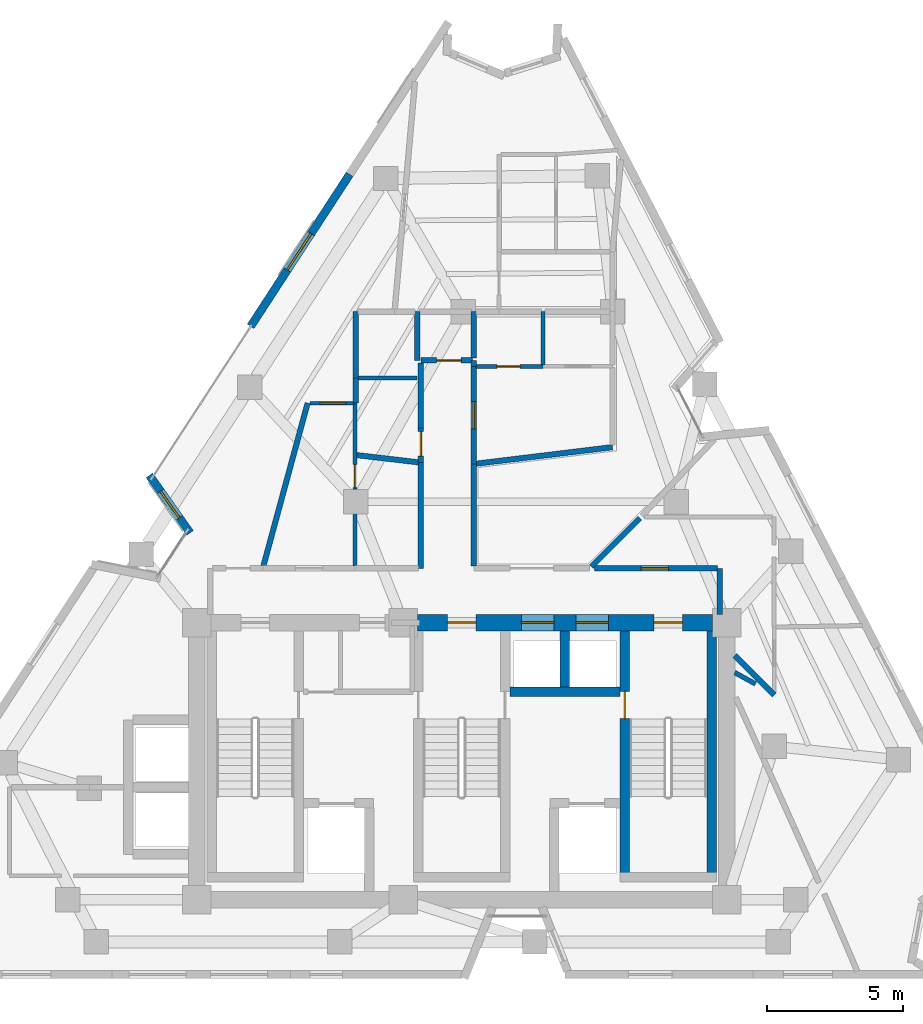
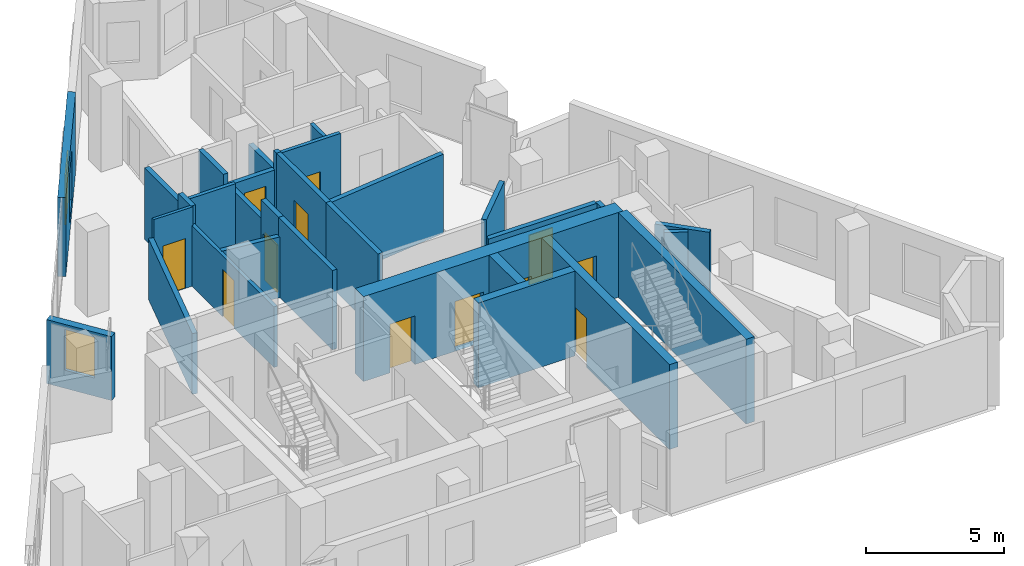
# One storey, part 6 of 9: 31 walls, 12 doors, 2 windows, 14 openings.
"""IFC4 building model written with IfcOpenShell, lengths in metres."""

from ifc_helpers import new_model, si_unit, direction, frame, frame_2d, origin, place, context, subcontext, project, spatial, rectangle, extrude, material, layer, layer_set, type_object, element, fill, save


model = new_model("IFC4")

# Units and contexts
model_context = context("Model", 3, precision=1e-05, world=origin(), true_north=direction((0.0, 1.0)))
body_context = subcontext(model_context, "Body", "Model", "MODEL_VIEW")
ifc_project = project(units=[si_unit("LENGTHUNIT", "METRE"), si_unit("AREAUNIT", "SQUARE_METRE"), si_unit("VOLUMEUNIT", "CUBIC_METRE"), si_unit("PLANEANGLEUNIT", "RADIAN"), si_unit("MASSUNIT", "GRAM", prefix="KILO")], contexts=[model_context])

# Site, building, storey
site_placement = place(None, origin())
site = spatial("IfcSite", under=ifc_project, at=site_placement, CompositionType="ELEMENT")
building_placement = place(site_placement, origin())
building = spatial("IfcBuilding", under=site, at=building_placement, Name="Almagre Mirador Tower", CompositionType="ELEMENT")
storey_placement = place(building_placement, frame((0.0, 0.0, 210.75)))
storey = spatial("IfcBuildingStorey", under=building, at=storey_placement, Name="L54", CompositionType="ELEMENT", Elevation=210.75)

# Wall, opening, window
ifc_material_1 = material(Name="Precast concrete C50/60", Category="concrete")
ifc_layer_1 = layer(ifc_material_1, 0.300048828125)
ifc_layer_set_1 = layer_set([ifc_layer_1], Name="Precast concrete C50/60")
wall_type_1 = type_object("IfcWallType", Name="WAL-EXT-300", PredefinedType="SOLIDWALL", material=ifc_layer_set_1)
wall_1_placement = place(storey_placement, frame((27.3017578125, 18.052490234375, 0.0), z_axis=(0.0, 0.0, 1.0), x_axis=(-0.576912262752, 0.816806122092, 0.0)))
wall_1 = element("IfcWall", 1, at=wall_1_placement, inside=storey, type_object=wall_type_1, Name="L54 expressed almagre precast frame wall 02", PredefinedType="SOLIDWALL", context=body_context, shape_type="SweptSolid", body=[
    extrude(rectangle(XDim=2.59423828125, YDim=0.300048828125, at=frame_2d((1.297119140625, 0.0))), origin(), (0.0, 0.0, 1.0), 2.824951171875),
])
opening_1_placement = place(wall_1_placement, frame((0.675048828125, 0.0, 0.800048828125)))
opening_1 = element("IfcOpeningElement", 2, at=opening_1_placement, cuts=wall_1, Name="Opening WN-04", PredefinedType="OPENING", context=body_context, shape_type="SweptSolid", body=[
    extrude(rectangle(XDim=1.199951171875, YDim=1.800048828125, at=frame_2d((0.60009765625, 0.89990234375))), frame((0.0, 0.159902, 0.0), z_axis=(0.0, -1.0, 0.0), x_axis=(1.0, 0.0, 0.0)), (0.0, 0.0, 1.0), 0.320049),
])
ifc_material_2 = material(Name="Dark solar-control laminated hurricane glass", Category="glass")
window_type_1 = type_object("IfcWindowType", Name="WIN-1200X1800", PartitioningType="SINGLE_PANEL", PredefinedType="WINDOW", material=ifc_material_2)
window_1_placement = place(opening_1_placement, origin())
window_1 = element("IfcWindow", 3, at=window_1_placement, inside=storey, type_object=window_type_1, Name="L54 recessed hurricane window L54-RST-F", OverallHeight=1.800048828125, OverallWidth=1.199951171875, PartitioningType="SINGLE_PANEL", PredefinedType="WINDOW", context=body_context, shape_type="SweptSolid", body=[
    extrude(rectangle(XDim=1.199951171875, YDim=1.800048828125, at=frame_2d((0.60009765625, 0.89990234375))), frame((0.0, 0.030029296875, 0.0), z_axis=(0.0, -1.0, 0.0), x_axis=(1.0, 0.0, 0.0)), (0.0, 0.0, 1.0), 0.06005859375),
])
fill(opening_1, window_1)

wall_2_placement = place(storey_placement, frame((29.530029296875, 25.654052734375, 0.0), z_axis=(0.0, 0.0, 1.0), x_axis=(0.545624217243, 0.838029959821, 0.0)))
wall_2 = element("IfcWall", 4, at=wall_2_placement, inside=storey, type_object=wall_type_1, Name="L54 expressed almagre precast frame wall 03", PredefinedType="SOLIDWALL", context=body_context, shape_type="SweptSolid", body=[
    extrude(rectangle(XDim=6.6787109375, YDim=0.300048828125, at=frame_2d((3.33935546875, 0.0))), origin(), (0.0, 0.0, 1.0), 3.5),
])
opening_2_placement = place(wall_2_placement, frame((2.47509765625, 0.0, 0.550048828125)))
opening_2 = element("IfcOpeningElement", 5, at=opening_2_placement, cuts=wall_2, Name="Opening WN-06", PredefinedType="OPENING", context=body_context, shape_type="SweptSolid", body=[
    extrude(rectangle(XDim=1.60009765625, YDim=2.199951171875, at=frame_2d((0.800048828125, 1.10009765625))), frame((0.0, 0.159902, 0.0), z_axis=(0.0, -1.0, 0.0), x_axis=(1.0, 0.0, 0.0)), (0.0, 0.0, 1.0), 0.320049),
])
ifc_material_3 = material(Name="Dark solar-control laminated hurricane glass", Category="glass")
window_type_2 = type_object("IfcWindowType", Name="WIN-1600X2200", PartitioningType="DOUBLE_PANEL_VERTICAL", PredefinedType="WINDOW", material=ifc_material_3)
window_2_placement = place(opening_2_placement, origin())
window_2 = element("IfcWindow", 6, at=window_2_placement, inside=storey, type_object=window_type_2, Name="L54 recessed hurricane window L54-RST-F", OverallHeight=2.199951171875, OverallWidth=1.60009765625, PartitioningType="SINGLE_PANEL", PredefinedType="WINDOW", context=body_context, shape_type="SweptSolid", body=[
    extrude(rectangle(XDim=1.60009765625, YDim=2.199951171875, at=frame_2d((0.800048828125, 1.10009765625))), frame((0.0, 0.030029296875, 0.0), z_axis=(0.0, -1.0, 0.0), x_axis=(1.0, 0.0, 0.0)), (0.0, 0.0, 1.0), 0.06005859375),
])
fill(opening_2, window_2)

# Wall, opening, door
ifc_material_4 = material(Name="Gypsum acoustic stud partition", Category="other")
ifc_layer_2 = layer(ifc_material_4, 0.125)
ifc_layer_set_2 = layer_set([ifc_layer_2], Name="Gypsum acoustic stud partition")
wall_type_2 = type_object("IfcWallType", Name="WAL-PRT-125-UTL", PredefinedType="PARTITIONING", material=ifc_layer_set_2)
wall_3_placement = place(storey_placement, frame((33.360107421875, 22.830078125, 0.0), z_axis=(0.0, 0.0, 1.0), x_axis=(-1.0, 0.0, 0.0)))
wall_3 = element("IfcWall", 7, at=wall_3_placement, inside=storey, type_object=wall_type_2, Name="L54 interior partition 047", PredefinedType="PARTITIONING", context=body_context, shape_type="SweptSolid", body=[
    extrude(rectangle(XDim=1.64501953125, YDim=0.125, at=frame_2d((0.822509765625, 0.0))), origin(), (0.0, 0.0, 1.0), 3.5),
])
opening_3_placement = place(wall_3_placement, frame((0.31591796875, 0.0, 0.0)))
opening_3 = element("IfcOpeningElement", 8, at=opening_3_placement, cuts=wall_3, Name="Opening UD-01", PredefinedType="OPENING", context=body_context, shape_type="SweptSolid", body=[
    extrude(rectangle(XDim=0.949951171875, YDim=2.199951171875, at=frame_2d((0.47509765625, 1.10009765625))), frame((0.0, 0.0725, 0.0), z_axis=(0.0, -1.0, 0.0), x_axis=(1.0, 0.0, 0.0)), (0.0, 0.0, 1.0), 0.145),
])
ifc_material_5 = material(Name="Solid American walnut timber", Category="wood")
door_type_1 = type_object("IfcDoorType", Name="DOR-UNR-950X2200", OperationType="NOTDEFINED", PredefinedType="DOOR", material=ifc_material_5)
door_1_placement = place(opening_3_placement, origin())
door_1 = element("IfcDoor", 9, at=door_1_placement, inside=storey, type_object=door_type_1, Name="DR-1681 L54 interior door L54-UG-ST to L54-UG-KT", OperationType="SINGLE_SWING_LEFT", OverallHeight=2.199951171875, OverallWidth=0.949951171875, PredefinedType="DOOR", context=body_context, shape_type="SweptSolid", body=[
    extrude(rectangle(XDim=0.949951171875, YDim=2.199951171875, at=frame_2d((0.47509765625, 1.10009765625))), frame((0.0, 0.02490234375, 0.0), z_axis=(0.0, -1.0, 0.0), x_axis=(1.0, 0.0, 0.0)), (0.0, 0.0, 1.0), 0.050048828125),
])
fill(opening_3, door_1)

ifc_material_6 = material(Name="Gypsum acoustic stud partition", Category="other")
ifc_layer_3 = layer(ifc_material_6, 0.14990234375)
ifc_layer_set_3 = layer_set([ifc_layer_3], Name="Gypsum acoustic stud partition")
wall_type_3 = type_object("IfcWallType", Name="WAL-PRT-150-STD", PredefinedType="PARTITIONING", material=ifc_layer_set_3)
wall_4_placement = place(storey_placement, frame((33.3798828125, 22.830078125, 0.0), z_axis=(0.0, 0.0, 1.0), x_axis=(0.0, -1.0, 0.0)))
wall_4 = element("IfcWall", 10, at=wall_4_placement, inside=storey, type_object=wall_type_3, Name="L54 interior partition 046", PredefinedType="PARTITIONING", context=body_context, shape_type="SweptSolid", body=[
    extrude(rectangle(XDim=5.9951171875, YDim=0.14990234375, at=frame_2d((2.99755859375, 0.0))), origin(), (0.0, 0.0, 1.0), 2.68505859375),
])
opening_4_placement = place(wall_4_placement, frame((2.261474609375, 0.0, 0.0)))
opening_4 = element("IfcOpeningElement", 11, at=opening_4_placement, cuts=wall_4, Name="Opening UD-04", PredefinedType="OPENING", context=body_context, shape_type="SweptSolid", body=[
    extrude(rectangle(XDim=0.85009765625, YDim=2.10009765625, at=frame_2d((0.425048828125, 1.050048828125))), frame((0.0, 0.084951, 0.0), z_axis=(0.0, -1.0, 0.0), x_axis=(1.0, 0.0, 0.0)), (0.0, 0.0, 1.0), 0.169902),
])
ifc_material_7 = material(Name="Moisture-resistant oak timber", Category="wood")
door_type_2 = type_object("IfcDoorType", Name="DOR-UNR-850X2100", OperationType="NOTDEFINED", PredefinedType="DOOR", material=ifc_material_7)
door_2_placement = place(opening_4_placement, origin())
door_2 = element("IfcDoor", 12, at=door_2_placement, inside=storey, type_object=door_type_2, Name="DR-1682 L54 interior door L54-UG-ST to L54-UG-BT", OperationType="SINGLE_SWING_RIGHT", OverallHeight=2.10009765625, OverallWidth=0.85009765625, PredefinedType="DOOR", context=body_context, shape_type="SweptSolid", body=[
    extrude(rectangle(XDim=0.85009765625, YDim=2.10009765625, at=frame_2d((0.425048828125, 1.050048828125))), frame((0.0, 0.02490234375, 0.0), z_axis=(0.0, -1.0, 0.0), x_axis=(1.0, 0.0, 0.0)), (0.0, 0.0, 1.0), 0.050048828125),
])
fill(opening_4, door_2)

# Wall
wall_5_placement = place(storey_placement, frame((35.659912109375, 23.75, 0.0), z_axis=(0.0, 0.0, 1.0), x_axis=(-1.0, 0.0, 0.0)))
element("IfcWall", 13, at=wall_5_placement, inside=storey, type_object=wall_type_3, Name="L54 interior partition 057", PredefinedType="PARTITIONING", context=body_context, shape_type="SweptSolid", body=[
    extrude(rectangle(XDim=2.1748046875, YDim=0.14990234375, at=frame_2d((1.08740234375, 0.0))), origin(), (0.0, 0.0, 1.0), 3.159912109375),
])

# Wall, opening, door
wall_6_placement = place(storey_placement, frame((40.300048828125, 24.179931640625, 0.0), z_axis=(0.0, 0.0, 1.0), x_axis=(-1.0, 0.0, 0.0)))
wall_6 = element("IfcWall", 14, at=wall_6_placement, inside=storey, type_object=wall_type_3, Name="L54 interior partition 060", PredefinedType="PARTITIONING", context=body_context, shape_type="SweptSolid", body=[
    extrude(rectangle(XDim=2.465087890625, YDim=0.14990234375, at=frame_2d((1.232421875, 0.0))), origin(), (0.0, 0.0, 1.0), 3.5),
])
opening_5_placement = place(wall_6_placement, frame((0.85009765625, 0.0, 0.0)))
opening_5 = element("IfcOpeningElement", 15, at=opening_5_placement, cuts=wall_6, Name="Opening UD-04", PredefinedType="OPENING", context=body_context, shape_type="SweptSolid", body=[
    extrude(rectangle(XDim=0.85009765625, YDim=2.10009765625, at=frame_2d((0.425048828125, 1.050048828125))), frame((0.0, 0.084951, 0.0), z_axis=(0.0, -1.0, 0.0), x_axis=(1.0, 0.0, 0.0)), (0.0, 0.0, 1.0), 0.169902),
])
door_3_placement = place(opening_5_placement, origin())
door_3 = element("IfcDoor", 16, at=door_3_placement, inside=storey, type_object=door_type_2, Name="DR-1686 L54 interior door L54-UJ-ST to L54-UJ-BT", OperationType="SINGLE_SWING_RIGHT", OverallHeight=2.10009765625, OverallWidth=0.85009765625, PredefinedType="DOOR", context=body_context, shape_type="SweptSolid", body=[
    extrude(rectangle(XDim=0.85009765625, YDim=2.10009765625, at=frame_2d((0.425048828125, 1.050048828125))), frame((0.0, 0.02490234375, 0.0), z_axis=(0.0, -1.0, 0.0), x_axis=(1.0, 0.0, 0.0)), (0.0, 0.0, 1.0), 0.050048828125),
])
fill(opening_5, door_3)

# Walls
wall_7_placement = place(storey_placement, frame((40.300048828125, 26.199951171875, 0.0), z_axis=(0.0, 0.0, 1.0), x_axis=(0.0, -1.0, 0.0)))
element("IfcWall", 17, at=wall_7_placement, inside=storey, type_object=wall_type_3, Name="L54 interior partition 063", PredefinedType="PARTITIONING", context=body_context, shape_type="SweptSolid", body=[
    extrude(rectangle(XDim=1.972412109375, YDim=0.14990234375, at=frame_2d((0.986328125, 0.0))), origin(), (0.0, 0.0, 1.0), 2.68505859375),
])
ifc_material_8 = material(Name="Gypsum acoustic stud partition", Category="other")
ifc_layer_4 = layer(ifc_material_8, 0.175048828125)
ifc_layer_set_4 = layer_set([ifc_layer_4], Name="Gypsum acoustic stud partition")
wall_type_4 = type_object("IfcWallType", Name="WAL-PRT-175-AC", PredefinedType="PARTITIONING", material=ifc_layer_set_4)
wall_8_placement = place(storey_placement, frame((47.35009765625, 12.9140625, 0.0), z_axis=(0.0, 0.0, 1.0), x_axis=(0.876281108122, -0.481800186331, 0.0)))
element("IfcWall", 18, at=wall_8_placement, inside=storey, type_object=wall_type_4, Name="L54 interior partition 078", PredefinedType="PARTITIONING", context=body_context, shape_type="SweptSolid", body=[
    extrude(rectangle(XDim=0.86962890625, YDim=0.175048828125, at=frame_2d((0.434814453125, 0.0))), origin(), (0.0, 0.0, 1.0), 3.5),
])
ifc_material_9 = material(Name="Gypsum acoustic stud partition", Category="other")
ifc_layer_5 = layer(ifc_material_9, 0.199951171875)
ifc_layer_set_5 = layer_set([ifc_layer_5], Name="Gypsum acoustic stud partition")
wall_type_5 = type_object("IfcWallType", Name="WAL-PRT-200-EI60", PredefinedType="PARTITIONING", material=ifc_layer_set_5)
wall_9_placement = place(storey_placement, frame((46.800048828125, 15.050048828125, 0.0), z_axis=(0.0, 0.0, 1.0), x_axis=(0.0, 1.0, 0.0)))
element("IfcWall", 19, at=wall_9_placement, inside=storey, type_object=wall_type_5, Name="L54 interior partition 002", PredefinedType="PARTITIONING", context=body_context, shape_type="SweptSolid", body=[
    extrude(rectangle(XDim=1.699951171875, YDim=0.199951171875, at=frame_2d((0.85009765625, 0.0))), origin(), (0.0, 0.0, 1.0), 2.68505859375),
])

# Wall, opening, door
wall_10_placement = place(storey_placement, frame((46.715087890625, 16.75, 0.0), z_axis=(0.0, 0.0, 1.0), x_axis=(-1.0, 0.0, 0.0)))
wall_10 = element("IfcWall", 20, at=wall_10_placement, inside=storey, type_object=wall_type_5, Name="L54 interior partition 003", PredefinedType="PARTITIONING", context=body_context, shape_type="SweptSolid", body=[
    extrude(rectangle(XDim=4.53515625, YDim=0.199951171875, at=frame_2d((2.267578125, 0.0))), origin(), (0.0, 0.0, 1.0), 2.68505859375),
])
opening_6_placement = place(wall_10_placement, frame((1.81005859375, 0.0, 0.0)))
opening_6 = element("IfcOpeningElement", 21, at=opening_6_placement, cuts=wall_10, Name="Opening ID-01", PredefinedType="OPENING", context=body_context, shape_type="SweptSolid", body=[
    extrude(rectangle(XDim=1.0, YDim=2.199951171875, at=frame_2d((0.5, 1.10009765625))), frame((0.0, 0.110098, 0.0), z_axis=(0.0, -1.0, 0.0), x_axis=(1.0, 0.0, 0.0)), (0.0, 0.0, 1.0), 0.219951),
])
ifc_material_10 = material(Name="Fire-rated walnut timber", Category="wood")
door_type_3 = type_object("IfcDoorType", Name="DOR-FD60-1000X2200", OperationType="NOTDEFINED", PredefinedType="DOOR", material=ifc_material_10)
door_4_placement = place(opening_6_placement, origin())
door_4 = element("IfcDoor", 22, at=door_4_placement, inside=storey, type_object=door_type_3, Name="DR-1678 L54 interior door L54-RCOR to L54-UE-ST", OperationType="SINGLE_SWING_LEFT", OverallHeight=2.199951171875, OverallWidth=1.0, PredefinedType="DOOR", context=body_context, shape_type="SweptSolid", body=[
    extrude(rectangle(XDim=1.0, YDim=2.199951171875, at=frame_2d((0.5, 1.10009765625))), frame((0.0, 0.02490234375, 0.0), z_axis=(0.0, -1.0, 0.0), x_axis=(1.0, 0.0, 0.0)), (0.0, 0.0, 1.0), 0.050048828125),
])
fill(opening_6, door_4)

# Wall
wall_11_placement = place(storey_placement, frame((35.800048828125, 20.639892578125, 0.0), z_axis=(0.0, 0.0, 1.0), x_axis=(0.0, -1.0, 0.0)))
element("IfcWall", 23, at=wall_11_placement, inside=storey, type_object=wall_type_5, Name="L54 interior partition 006", PredefinedType="PARTITIONING", context=body_context, shape_type="SweptSolid", body=[
    extrude(rectangle(XDim=3.889892578125, YDim=0.199951171875, at=frame_2d((1.94482421875, 0.0))), origin(), (0.0, 0.0, 1.0), 3.5),
])

# Wall, opening, door
wall_12_placement = place(storey_placement, frame((37.705078125, 24.39990234375, 0.0), z_axis=(0.0, 0.0, 1.0), x_axis=(-1.0, 0.0, 0.0)))
wall_12 = element("IfcWall", 24, at=wall_12_placement, inside=storey, type_object=wall_type_5, Name="L54 interior partition 008", PredefinedType="PARTITIONING", context=body_context, shape_type="SweptSolid", body=[
    extrude(rectangle(XDim=1.905029296875, YDim=0.199951171875, at=frame_2d((0.95263671875, 0.0))), origin(), (0.0, 0.0, 1.0), 2.68505859375),
])
opening_7_placement = place(wall_12_placement, frame((0.425048828125, 0.0, 0.0)))
opening_7 = element("IfcOpeningElement", 25, at=opening_7_placement, cuts=wall_12, Name="Opening ID-03", PredefinedType="OPENING", context=body_context, shape_type="SweptSolid", body=[
    extrude(rectangle(XDim=0.89990234375, YDim=2.10009765625, at=frame_2d((0.449951171875, 1.050048828125))), frame((0.0, 0.110098, 0.0), z_axis=(0.0, -1.0, 0.0), x_axis=(1.0, 0.0, 0.0)), (0.0, 0.0, 1.0), 0.219951),
])
ifc_material_11 = material(Name="Fire-rated hollow steel", Category="steel")
door_type_4 = type_object("IfcDoorType", Name="DOR-FD60-900X2100", OperationType="NOTDEFINED", PredefinedType="DOOR", material=ifc_material_11)
door_5_placement = place(opening_7_placement, origin())
door_5 = element("IfcDoor", 26, at=door_5_placement, inside=storey, type_object=door_type_4, Name="DR-1677 L54 interior door L54-RCOR to L54-UH-ST", OperationType="SINGLE_SWING_RIGHT", OverallHeight=2.10009765625, OverallWidth=0.89990234375, PredefinedType="DOOR", context=body_context, shape_type="SweptSolid", body=[
    extrude(rectangle(XDim=0.89990234375, YDim=2.10009765625, at=frame_2d((0.449951171875, 1.050048828125))), frame((0.0, 0.02490234375, 0.0), z_axis=(0.0, -1.0, 0.0), x_axis=(1.0, 0.0, 0.0)), (0.0, 0.0, 1.0), 0.050048828125),
])
fill(opening_7, door_5)

# Wall
wall_13_placement = place(storey_placement, frame((35.800048828125, 24.31494140625, 0.0), z_axis=(0.0, 0.0, 1.0), x_axis=(0.0, -1.0, 0.0)))
element("IfcWall", 27, at=wall_13_placement, inside=storey, type_object=wall_type_5, Name="L54 interior partition 009", PredefinedType="PARTITIONING", context=body_context, shape_type="SweptSolid", body=[
    extrude(rectangle(XDim=2.39501953125, YDim=0.199951171875, at=frame_2d((1.197509765625, 0.0))), origin(), (0.0, 0.0, 1.0), 2.68505859375),
])

# Wall, opening, door
wall_14_placement = place(storey_placement, frame((35.800048828125, 21.919921875, 0.0), z_axis=(0.0, 0.0, 1.0), x_axis=(0.0, -1.0, 0.0)))
wall_14 = element("IfcWall", 28, at=wall_14_placement, inside=storey, type_object=wall_type_5, Name="L54 interior partition 010", PredefinedType="PARTITIONING", context=body_context, shape_type="SweptSolid", body=[
    extrude(rectangle(XDim=1.280029296875, YDim=0.199951171875, at=frame_2d((0.64013671875, 0.0))), origin(), (0.0, 0.0, 1.0), 3.5),
])
opening_8_placement = place(wall_14_placement, frame((0.139892578125, 0.0, 0.0)))
opening_8 = element("IfcOpeningElement", 29, at=opening_8_placement, cuts=wall_14, Name="Opening ID-03", PredefinedType="OPENING", context=body_context, shape_type="SweptSolid", body=[
    extrude(rectangle(XDim=0.89990234375, YDim=2.10009765625, at=frame_2d((0.449951171875, 1.050048828125))), frame((0.0, 0.110098, 0.0), z_axis=(0.0, -1.0, 0.0), x_axis=(1.0, 0.0, 0.0)), (0.0, 0.0, 1.0), 0.219951),
])
door_6_placement = place(opening_8_placement, origin())
door_6 = element("IfcDoor", 30, at=door_6_placement, inside=storey, type_object=door_type_4, Name="DR-1683 L54 interior door L54-RCOR to L54-UH-KT", OperationType="SINGLE_SWING_RIGHT", OverallHeight=2.10009765625, OverallWidth=0.89990234375, PredefinedType="DOOR", context=body_context, shape_type="SweptSolid", body=[
    extrude(rectangle(XDim=0.89990234375, YDim=2.10009765625, at=frame_2d((0.449951171875, 1.050048828125))), frame((0.0, 0.02490234375, 0.0), z_axis=(0.0, -1.0, 0.0), x_axis=(1.0, 0.0, 0.0)), (0.0, 0.0, 1.0), 0.050048828125),
])
fill(opening_8, door_6)

wall_15_placement = place(storey_placement, frame((37.75, 20.590087890625, 0.0), z_axis=(0.0, 0.0, 1.0), x_axis=(0.0, 1.0, 0.0)))
wall_15 = element("IfcWall", 31, at=wall_15_placement, inside=storey, type_object=wall_type_5, Name="L54 interior partition 011", PredefinedType="PARTITIONING", context=body_context, shape_type="SweptSolid", body=[
    extrude(rectangle(XDim=3.58984375, YDim=0.199951171875, at=frame_2d((1.794921875, 0.0))), origin(), (0.0, 0.0, 1.0), 3.5),
])
opening_9_placement = place(wall_15_placement, frame((1.294921875, 0.0, 0.0)))
opening_9 = element("IfcOpeningElement", 32, at=opening_9_placement, cuts=wall_15, Name="Opening ID-01", PredefinedType="OPENING", context=body_context, shape_type="SweptSolid", body=[
    extrude(rectangle(XDim=1.0, YDim=2.199951171875, at=frame_2d((0.5, 1.10009765625))), frame((0.0, 0.110098, 0.0), z_axis=(0.0, -1.0, 0.0), x_axis=(1.0, 0.0, 0.0)), (0.0, 0.0, 1.0), 0.219951),
])
door_7_placement = place(opening_9_placement, origin())
door_7 = element("IfcDoor", 33, at=door_7_placement, inside=storey, type_object=door_type_3, Name="DR-1684 L54 interior door L54-RCOR to L54-UJ-ST", OperationType="SINGLE_SWING_RIGHT", OverallHeight=2.199951171875, OverallWidth=1.0, PredefinedType="DOOR", context=body_context, shape_type="SweptSolid", body=[
    extrude(rectangle(XDim=1.0, YDim=2.199951171875, at=frame_2d((0.5, 1.10009765625))), frame((0.0, 0.02490234375, 0.0), z_axis=(0.0, -1.0, 0.0), x_axis=(1.0, 0.0, 0.0)), (0.0, 0.0, 1.0), 0.050048828125),
])
fill(opening_9, door_7)

# Walls
wall_16_placement = place(storey_placement, frame((37.75, 24.179931640625, 0.0), z_axis=(0.0, 0.0, 1.0), x_axis=(0.0, 1.0, 0.0)))
element("IfcWall", 34, at=wall_16_placement, inside=storey, type_object=wall_type_5, Name="L54 interior partition 012", PredefinedType="PARTITIONING", context=body_context, shape_type="SweptSolid", body=[
    extrude(rectangle(XDim=0.219970703125, YDim=0.199951171875, at=frame_2d((0.10986328125, 0.0))), origin(), (0.0, 0.0, 1.0), 3.5),
])
wall_17_placement = place(storey_placement, frame((37.75, 16.8349609375, 0.0), z_axis=(0.0, 0.0, 1.0), x_axis=(0.0, 1.0, 0.0)))
element("IfcWall", 35, at=wall_17_placement, inside=storey, type_object=wall_type_5, Name="L54 interior partition 014", PredefinedType="PARTITIONING", context=body_context, shape_type="SweptSolid", body=[
    extrude(rectangle(XDim=3.755126953125, YDim=0.199951171875, at=frame_2d((1.87744140625, 0.0))), origin(), (0.0, 0.0, 1.0), 3.5),
])
wall_18_placement = place(storey_placement, frame((48.800048828125, 12.090087890625, 0.0), z_axis=(0.0, 0.0, 1.0), x_axis=(-0.707106781187, 0.707106781187, 0.0)))
element("IfcWall", 36, at=wall_18_placement, inside=storey, type_object=wall_type_5, Name="L54 interior partition 029", PredefinedType="PARTITIONING", context=body_context, shape_type="SweptSolid", body=[
    extrude(rectangle(XDim=2.050537109375, YDim=0.199951171875, at=frame_2d((1.025390625, 0.0))), origin(), (0.0, 0.0, 1.0), 3.5),
])
wall_19_placement = place(storey_placement, frame((43.857666015625, 18.59765625, 0.0), z_axis=(0.0, 0.0, 1.0), x_axis=(-0.707106781187, -0.707106781187, 0.0)))
element("IfcWall", 37, at=wall_19_placement, inside=storey, type_object=wall_type_5, Name="L54 interior partition 040", PredefinedType="PARTITIONING", context=body_context, shape_type="SweptSolid", body=[
    extrude(rectangle(XDim=2.528076171875, YDim=0.199951171875, at=frame_2d((1.26416015625, 0.0))), origin(), (0.0, 0.0, 1.0), 3.5),
])
wall_20_placement = place(storey_placement, frame((30.002197265625, 16.83203125, 0.0), z_axis=(0.0, 0.0, 1.0), x_axis=(0.261897318596, 0.965095743702, 0.0)))
element("IfcWall", 38, at=wall_20_placement, inside=storey, type_object=wall_type_5, Name="L54 interior partition 043", PredefinedType="PARTITIONING", context=body_context, shape_type="SweptSolid", body=[
    extrude(rectangle(XDim=6.215087890625, YDim=0.199951171875, at=frame_2d((3.107421875, 0.0))), origin(), (0.0, 0.0, 1.0), 2.68505859375),
])
wall_21_placement = place(storey_placement, frame((35.715576171875, 20.64990234375, 0.0), z_axis=(0.0, 0.0, 1.0), x_axis=(-0.993270086926, 0.11582113114, 0.0)))
element("IfcWall", 39, at=wall_21_placement, inside=storey, type_object=wall_type_5, Name="L54 interior partition 048", PredefinedType="PARTITIONING", context=body_context, shape_type="SweptSolid", body=[
    extrude(rectangle(XDim=2.291259765625, YDim=0.199951171875, at=frame_2d((1.1455078125, 0.0))), origin(), (0.0, 0.0, 1.0), 2.68505859375),
])
wall_22_placement = place(storey_placement, frame((33.39990234375, 22.830078125, 0.0), z_axis=(0.0, 0.0, 1.0), x_axis=(0.0, 1.0, 0.0)))
element("IfcWall", 40, at=wall_22_placement, inside=storey, type_object=wall_type_5, Name="L54 interior partition 049", PredefinedType="PARTITIONING", context=body_context, shape_type="SweptSolid", body=[
    extrude(rectangle(XDim=0.919921875, YDim=0.199951171875, at=frame_2d((0.4599609375, 0.0))), origin(), (0.0, 0.0, 1.0), 3.5),
])
wall_23_placement = place(storey_placement, frame((33.39990234375, 23.75, 0.0), z_axis=(0.0, 0.0, 1.0), x_axis=(0.0, 1.0, 0.0)))
element("IfcWall", 41, at=wall_23_placement, inside=storey, type_object=wall_type_5, Name="L54 interior partition 050", PredefinedType="PARTITIONING", context=body_context, shape_type="SweptSolid", body=[
    extrude(rectangle(XDim=2.449951171875, YDim=0.199951171875, at=frame_2d((1.22509765625, 0.0))), origin(), (0.0, 0.0, 1.0), 3.159912109375),
])
wall_24_placement = place(storey_placement, frame((35.659912109375, 26.199951171875, 0.0), z_axis=(0.0, 0.0, 1.0), x_axis=(0.0, -1.0, 0.0)))
element("IfcWall", 42, at=wall_24_placement, inside=storey, type_object=wall_type_5, Name="L54 interior partition 054", PredefinedType="PARTITIONING", context=body_context, shape_type="SweptSolid", body=[
    extrude(rectangle(XDim=1.800048828125, YDim=0.199951171875, at=frame_2d((0.89990234375, 0.0))), origin(), (0.0, 0.0, 1.0), 3.159912109375),
])
wall_25_placement = place(storey_placement, frame((37.75, 24.485107421875, 0.0), z_axis=(0.0, 0.0, 1.0), x_axis=(0.0, 1.0, 0.0)))
element("IfcWall", 43, at=wall_25_placement, inside=storey, type_object=wall_type_5, Name="L54 interior partition 055", PredefinedType="PARTITIONING", context=body_context, shape_type="SweptSolid", body=[
    extrude(rectangle(XDim=1.71484375, YDim=0.199951171875, at=frame_2d((0.857421875, 0.0))), origin(), (0.0, 0.0, 1.0), 2.68505859375),
])
wall_26_placement = place(storey_placement, frame((37.83447265625, 20.600341796875, 0.0), z_axis=(0.0, 0.0, 1.0), x_axis=(0.992694372952, 0.120656047959, 0.0)))
element("IfcWall", 44, at=wall_26_placement, inside=storey, type_object=wall_type_5, Name="L54 interior partition 061", PredefinedType="PARTITIONING", context=body_context, shape_type="SweptSolid", body=[
    extrude(rectangle(XDim=5.052490234375, YDim=0.199951171875, at=frame_2d((2.5263671875, 0.0))), origin(), (0.0, 0.0, 1.0), 3.5),
])

# Wall, opening, door
ifc_material_12 = material(Name="Concrete C60/75", Category="concrete")
ifc_layer_6 = layer(ifc_material_12, 0.35009765625)
ifc_layer_set_6 = layer_set([ifc_layer_6], Name="Concrete C60/75")
wall_type_6 = type_object("IfcWallType", Name="WAL-SHF-350", PredefinedType="SOLIDWALL", material=ifc_layer_set_6)
wall_27_placement = place(storey_placement, frame((43.300048828125, 5.199951171875, 0.0), z_axis=(0.0, 0.0, 1.0), x_axis=(0.0, 1.0, 0.0)))
wall_27 = element("IfcWall", 45, at=wall_27_placement, inside=storey, type_object=wall_type_6, Name="L54 shaft wall ST3-W", PredefinedType="SOLIDWALL", context=body_context, shape_type="SweptSolid", body=[
    extrude(rectangle(XDim=9.25, YDim=0.35009765625, at=frame_2d((4.625, 0.0))), origin(), (0.0, 0.0, 1.0), 3.75),
])
opening_10_placement = place(wall_27_placement, frame((6.02001953125, 0.0, 0.0)))
opening_10 = element("IfcOpeningElement", 46, at=opening_10_placement, cuts=wall_27, Name="Opening FD-01", PredefinedType="OPENING", context=body_context, shape_type="SweptSolid", body=[
    extrude(rectangle(XDim=1.0, YDim=2.14990234375, at=frame_2d((0.5, 1.074951171875))), frame((0.0, 0.185049, 0.0), z_axis=(0.0, -1.0, 0.0), x_axis=(1.0, 0.0, 0.0)), (0.0, 0.0, 1.0), 0.370098),
])
ifc_material_13 = material(Name="Fire-rated hollow steel", Category="steel")
door_type_5 = type_object("IfcDoorType", Name="DOR-FFL-1000X2150", OperationType="NOTDEFINED", PredefinedType="DOOR", material=ifc_material_13)
door_8_placement = place(opening_10_placement, origin())
door_8 = element("IfcDoor", 47, at=door_8_placement, inside=storey, type_object=door_type_5, Name="DR-1674 L54 FFL2-ST3 smokeproof door", OperationType="SINGLE_SWING_RIGHT", OverallHeight=2.14990234375, OverallWidth=1.0, PredefinedType="DOOR", context=body_context, shape_type="SweptSolid", body=[
    extrude(rectangle(XDim=1.0, YDim=2.14990234375, at=frame_2d((0.5, 1.074951171875))), frame((0.0, 0.02490234375, 0.0), z_axis=(0.0, -1.0, 0.0), x_axis=(1.0, 0.0, 0.0)), (0.0, 0.0, 1.0), 0.050048828125),
])
fill(opening_10, door_8)

# Walls
wall_28_placement = place(storey_placement, frame((46.5, 5.199951171875, 0.0), z_axis=(0.0, 0.0, 1.0), x_axis=(0.0, 1.0, 0.0)))
element("IfcWall", 48, at=wall_28_placement, inside=storey, type_object=wall_type_6, Name="L54 shaft wall ST3-E", PredefinedType="SOLIDWALL", context=body_context, shape_type="SweptSolid", body=[
    extrude(rectangle(XDim=9.25, YDim=0.35009765625, at=frame_2d((4.625, 0.0))), origin(), (0.0, 0.0, 1.0), 3.75),
])
wall_29_placement = place(storey_placement, frame((39.074951171875, 12.199951171875, 0.0), z_axis=(0.0, 0.0, 1.0), x_axis=(1.0, 0.0, 0.0)))
element("IfcWall", 49, at=wall_29_placement, inside=storey, type_object=wall_type_6, Name="L54 shaft wall PLH-S", PredefinedType="SOLIDWALL", context=body_context, shape_type="SweptSolid", body=[
    extrude(rectangle(XDim=4.050048828125, YDim=0.35009765625, at=frame_2d((2.02490234375, 0.0))), origin(), (0.0, 0.0, 1.0), 3.75),
])
wall_30_placement = place(storey_placement, frame((41.10009765625, 12.375, 0.0), z_axis=(0.0, 0.0, 1.0), x_axis=(0.0, 1.0, 0.0)))
element("IfcWall", 50, at=wall_30_placement, inside=storey, type_object=wall_type_6, Name="L54 shaft wall PLH-M", PredefinedType="SOLIDWALL", context=body_context, shape_type="SweptSolid", body=[
    extrude(rectangle(XDim=2.074951171875, YDim=0.35009765625, at=frame_2d((1.03759765625, 0.0))), origin(), (0.0, 0.0, 1.0), 3.75),
])

# Wall, openings, doors
ifc_material_14 = material(Name="Concrete C60/75", Category="concrete")
ifc_layer_7 = layer(ifc_material_14, 0.60009765625)
ifc_layer_set_7 = layer_set([ifc_layer_7], Name="Concrete C60/75")
wall_type_7 = type_object("IfcWallType", Name="WAL-SHR-600", PredefinedType="SHEAR", material=ifc_layer_set_7)
wall_31_placement = place(storey_placement, frame((35.675048828125, 14.75, 0.0), z_axis=(0.0, 0.0, 1.0), x_axis=(1.0, 0.0, 0.0)))
wall_31 = element("IfcWall", 51, at=wall_31_placement, inside=storey, type_object=wall_type_7, Name="L54 core shear wall N2", PredefinedType="SHEAR", context=body_context, shape_type="SweptSolid", body=[
    extrude(rectangle(XDim=10.849853515625, YDim=0.60009765625, at=frame_2d((5.4248046875, 0.0))), origin(), (0.0, 0.0, 1.0), 3.75),
])
opening_11_placement = place(wall_31_placement, frame((1.10009765625, 0.0, 0.0)))
opening_11 = element("IfcOpeningElement", 52, at=opening_11_placement, cuts=wall_31, Name="Opening SD-01", PredefinedType="OPENING", context=body_context, shape_type="SweptSolid", body=[
    extrude(rectangle(XDim=1.050048828125, YDim=2.14990234375, at=frame_2d((0.52490234375, 1.074951171875))), frame((0.0, 0.310049, 0.0), z_axis=(0.0, -1.0, 0.0), x_axis=(1.0, 0.0, 0.0)), (0.0, 0.0, 1.0), 0.620098),
])
opening_12_placement = place(wall_31_placement, frame((8.699951171875, 0.0, 0.0)))
opening_12 = element("IfcOpeningElement", 53, at=opening_12_placement, cuts=wall_31, Name="Opening SD-01", PredefinedType="OPENING", context=body_context, shape_type="SweptSolid", body=[
    extrude(rectangle(XDim=1.050048828125, YDim=2.14990234375, at=frame_2d((0.52490234375, 1.074951171875))), frame((0.0, 0.310049, 0.0), z_axis=(0.0, -1.0, 0.0), x_axis=(1.0, 0.0, 0.0)), (0.0, 0.0, 1.0), 0.620098),
])
opening_13_placement = place(wall_31_placement, frame((3.824951171875, 0.0, 0.0)))
opening_13 = element("IfcOpeningElement", 54, at=opening_13_placement, cuts=wall_31, Name="Opening LD-02", PredefinedType="OPENING", context=body_context, shape_type="SweptSolid", body=[
    extrude(rectangle(XDim=1.199951171875, YDim=2.199951171875, at=frame_2d((0.60009765625, 1.10009765625))), frame((0.0, 0.310049, 0.0), z_axis=(0.0, -1.0, 0.0), x_axis=(1.0, 0.0, 0.0)), (0.0, 0.0, 1.0), 0.620098),
])
opening_14_placement = place(wall_31_placement, frame((5.824951171875, 0.0, 0.0)))
opening_14 = element("IfcOpeningElement", 55, at=opening_14_placement, cuts=wall_31, Name="Opening LD-02", PredefinedType="OPENING", context=body_context, shape_type="SweptSolid", body=[
    extrude(rectangle(XDim=1.199951171875, YDim=2.199951171875, at=frame_2d((0.60009765625, 1.10009765625))), frame((0.0, 0.310049, 0.0), z_axis=(0.0, -1.0, 0.0), x_axis=(1.0, 0.0, 0.0)), (0.0, 0.0, 1.0), 0.620098),
])
ifc_material_15 = material(Name="Hollow stainless steel", Category="steel")
door_type_6 = type_object("IfcDoorType", Name="DOR-LD-1200X2200", OperationType="DOUBLE_DOOR_SLIDING", PredefinedType="DOOR", material=ifc_material_15)
door_9_placement = place(opening_13_placement, origin())
door_9 = element("IfcDoor", 56, at=door_9_placement, inside=storey, type_object=door_type_6, Name="DR-1693 L54 PL-H1 lift landing door", OperationType="DOUBLE_DOOR_SLIDING", OverallHeight=2.199951171875, OverallWidth=1.199951171875, PredefinedType="DOOR", context=body_context, shape_type="SweptSolid", body=[
    extrude(rectangle(XDim=1.199951171875, YDim=2.199951171875, at=frame_2d((0.60009765625, 1.10009765625))), frame((0.0, 0.02490234375, 0.0), z_axis=(0.0, -1.0, 0.0), x_axis=(1.0, 0.0, 0.0)), (0.0, 0.0, 1.0), 0.050048828125),
])
fill(opening_13, door_9)
door_10_placement = place(opening_14_placement, origin())
door_10 = element("IfcDoor", 57, at=door_10_placement, inside=storey, type_object=door_type_6, Name="DR-1694 L54 PL-H2 lift landing door", OperationType="DOUBLE_DOOR_SLIDING", OverallHeight=2.199951171875, OverallWidth=1.199951171875, PredefinedType="DOOR", context=body_context, shape_type="SweptSolid", body=[
    extrude(rectangle(XDim=1.199951171875, YDim=2.199951171875, at=frame_2d((0.60009765625, 1.10009765625))), frame((0.0, 0.02490234375, 0.0), z_axis=(0.0, -1.0, 0.0), x_axis=(1.0, 0.0, 0.0)), (0.0, 0.0, 1.0), 0.050048828125),
])
fill(opening_14, door_10)
ifc_material_16 = material(Name="Fire-rated hollow steel", Category="steel")
door_type_7 = type_object("IfcDoorType", Name="DOR-ST-1050X2150", OperationType="NOTDEFINED", PredefinedType="DOOR", material=ifc_material_16)
door_11_placement = place(opening_11_placement, origin())
door_11 = element("IfcDoor", 58, at=door_11_placement, inside=storey, type_object=door_type_7, Name="DR-1696 L54 protected exit stair ST-2 door", OperationType="SINGLE_SWING_LEFT", OverallHeight=2.14990234375, OverallWidth=1.050048828125, PredefinedType="DOOR", context=body_context, shape_type="SweptSolid", body=[
    extrude(rectangle(XDim=1.050048828125, YDim=2.14990234375, at=frame_2d((0.52490234375, 1.074951171875))), frame((0.0, 0.02490234375, 0.0), z_axis=(0.0, -1.0, 0.0), x_axis=(1.0, 0.0, 0.0)), (0.0, 0.0, 1.0), 0.050048828125),
])
fill(opening_11, door_11)
door_12_placement = place(opening_12_placement, origin())
door_12 = element("IfcDoor", 59, at=door_12_placement, inside=storey, type_object=door_type_7, Name="DR-1697 L54 protected exit stair ST-3 door", OperationType="SINGLE_SWING_RIGHT", OverallHeight=2.14990234375, OverallWidth=1.050048828125, PredefinedType="DOOR", context=body_context, shape_type="SweptSolid", body=[
    extrude(rectangle(XDim=1.050048828125, YDim=2.14990234375, at=frame_2d((0.52490234375, 1.074951171875))), frame((0.0, 0.02490234375, 0.0), z_axis=(0.0, -1.0, 0.0), x_axis=(1.0, 0.0, 0.0)), (0.0, 0.0, 1.0), 0.050048828125),
])
fill(opening_12, door_12)

save(model, "model.ifc")
